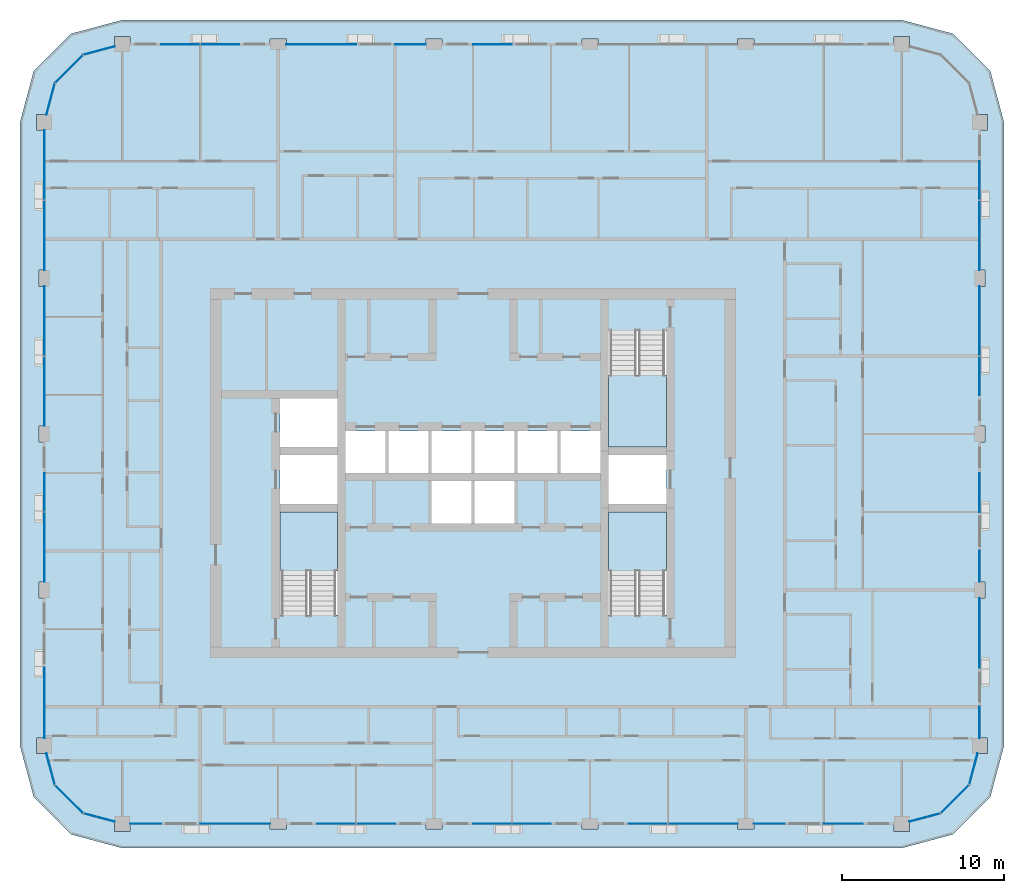
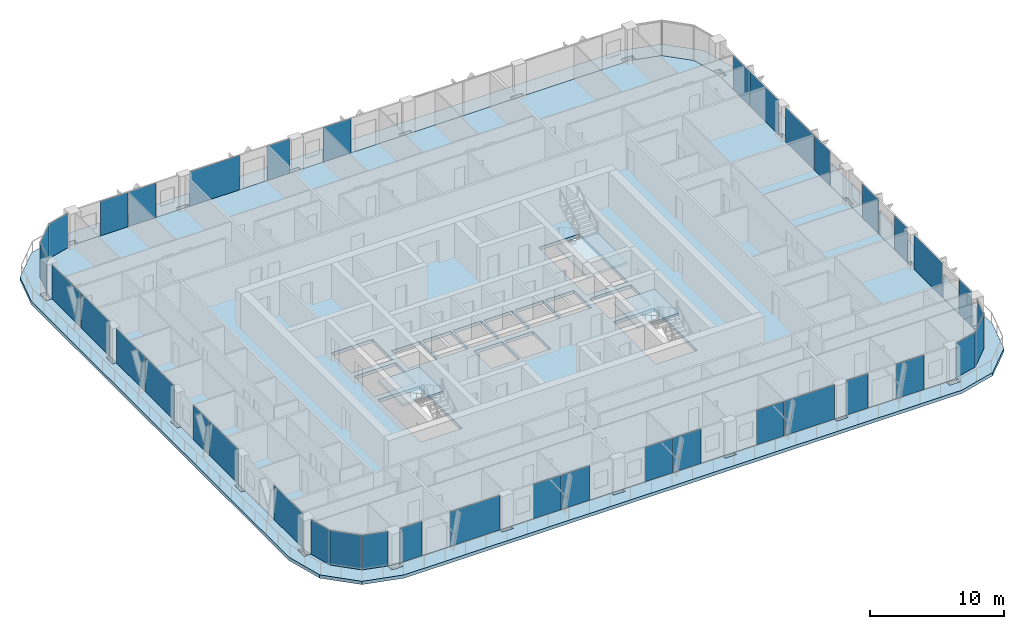
# One storey, part 7 of 23: 39 plates, 5 slabs, 22 elements without a shape of their own.
"""IFC4 building model written with IfcOpenShell, lengths in metres."""

from ifc_helpers import new_model, si_unit, direction, frame, origin, origin_2d, place, context, subcontext, project, spatial, polyline, rectangle, outline, extrude, material, layer, layer_set, type_object, element, aggregate, save


model = new_model("IFC4")

# Units and contexts
model_context = context("Model", 3, precision=1e-05, world=origin(), true_north=direction((0.0, 1.0)))
body_context = subcontext(model_context, "Body", "Model", "MODEL_VIEW")
ifc_project = project(units=[si_unit("LENGTHUNIT", "METRE"), si_unit("AREAUNIT", "SQUARE_METRE"), si_unit("VOLUMEUNIT", "CUBIC_METRE"), si_unit("PLANEANGLEUNIT", "RADIAN"), si_unit("MASSUNIT", "GRAM", prefix="KILO")], contexts=[model_context])

# Site, building, storey
site_placement = place(None, origin())
site = spatial("IfcSite", under=ifc_project, at=site_placement, CompositionType="ELEMENT")
building_placement = place(site_placement, origin())
building = spatial("IfcBuilding", under=site, at=building_placement, Name="Madar Terraces", CompositionType="ELEMENT")
storey_placement = place(building_placement, frame((0.0, 0.0, 222.800048828125)))
storey = spatial("IfcBuildingStorey", under=building, at=storey_placement, Name="L58", CompositionType="ELEMENT", Elevation=222.800048828125)

# Slabs
ifc_material_1 = material(Name="Concrete C50/60", Category="concrete")
ifc_layer_1 = layer(ifc_material_1, 0.300048828125)
ifc_layer_set_1 = layer_set([ifc_layer_1], Name="Balcony band 300")
slab_type_1 = type_object("IfcSlabType", Name="Balcony band 300", PredefinedType="FLOOR", material=ifc_layer_set_1)
slab_1_placement = place(storey_placement, frame((0.0, 0.0, -0.300048828125)))
element("IfcSlab", 1, at=slab_1_placement, inside=storey, type_object=slab_type_1, Name="Balcony band", PredefinedType="FLOOR", context=body_context, shape_type="SweptSolid", body=[
    extrude(outline(polyline([(9.60009765625, 3.300048828125), (6.449951171875, 4.14404296875), (4.14404296875, 6.449951171875), (3.300048828125, 9.60009765625), (3.300048828125, 48.0), (4.14404296875, 51.14990234375), (6.449951171875, 53.4560546875), (9.60009765625, 54.300048828125), (57.60009765625, 54.300048828125), (60.75, 53.4560546875), (63.055908203125, 51.14990234375), (63.89990234375, 48.0), (63.89990234375, 9.60009765625), (63.055908203125, 6.449951171875), (60.75, 4.14404296875), (57.60009765625, 3.300048828125), (9.60009765625, 3.300048828125)]), holes=[polyline([(10.074951171875, 4.324951171875), (10.074951171875, 4.800048828125), (18.699951171875, 4.800048828125), (18.699951171875, 4.47509765625), (19.699951171875, 4.47509765625), (19.699951171875, 4.800048828125), (28.300048828125, 4.800048828125), (28.300048828125, 4.47509765625), (29.300048828125, 4.47509765625), (29.300048828125, 4.800048828125), (37.89990234375, 4.800048828125), (37.89990234375, 4.47509765625), (38.89990234375, 4.47509765625), (38.89990234375, 4.800048828125), (47.5, 4.800048828125), (47.5, 4.47509765625), (48.5, 4.47509765625), (48.5, 4.800048828125), (57.125, 4.800048828125), (57.125, 4.324951171875), (58.074951171875, 4.324951171875), (58.074951171875, 4.92724609375), (60.0, 5.443115234375), (61.7568359375, 7.199951171875), (62.272705078125, 9.125), (62.875, 9.125), (62.875, 10.074951171875), (62.39990234375, 10.074951171875), (62.39990234375, 18.699951171875), (62.72509765625, 18.699951171875), (62.72509765625, 19.699951171875), (62.39990234375, 19.699951171875), (62.39990234375, 28.300048828125), (62.72509765625, 28.300048828125), (62.72509765625, 29.300048828125), (62.39990234375, 29.300048828125), (62.39990234375, 37.89990234375), (62.72509765625, 37.89990234375), (62.72509765625, 38.89990234375), (62.39990234375, 38.89990234375), (62.39990234375, 47.52490234375), (62.875, 47.52490234375), (62.875, 48.47509765625), (62.272705078125, 48.47509765625), (61.7568359375, 50.39990234375), (60.0, 52.156982421875), (58.074951171875, 52.672607421875), (58.074951171875, 53.27490234375), (57.125, 53.27490234375), (57.125, 52.800048828125), (48.5, 52.800048828125), (48.5, 53.125), (47.5, 53.125), (47.5, 52.800048828125), (38.89990234375, 52.800048828125), (38.89990234375, 53.125), (37.89990234375, 53.125), (37.89990234375, 52.800048828125), (29.300048828125, 52.800048828125), (29.300048828125, 53.125), (28.300048828125, 53.125), (28.300048828125, 52.800048828125), (19.699951171875, 52.800048828125), (19.699951171875, 53.125), (18.699951171875, 53.125), (18.699951171875, 52.800048828125), (10.074951171875, 52.800048828125), (10.074951171875, 53.27490234375), (9.125, 53.27490234375), (9.125, 52.672607421875), (7.199951171875, 52.156982421875), (5.443115234375, 50.39990234375), (4.92724609375, 48.47509765625), (4.324951171875, 48.47509765625), (4.324951171875, 47.52490234375), (4.800048828125, 47.52490234375), (4.800048828125, 38.89990234375), (4.47509765625, 38.89990234375), (4.47509765625, 37.89990234375), (4.800048828125, 37.89990234375), (4.800048828125, 29.300048828125), (4.47509765625, 29.300048828125), (4.47509765625, 28.300048828125), (4.800048828125, 28.300048828125), (4.800048828125, 19.699951171875), (4.47509765625, 19.699951171875), (4.47509765625, 18.699951171875), (4.800048828125, 18.699951171875), (4.800048828125, 10.074951171875), (4.324951171875, 10.074951171875), (4.324951171875, 9.125), (4.92724609375, 9.125), (5.443115234375, 7.199951171875), (7.199951171875, 5.443115234375), (9.125, 4.92724609375), (9.125, 4.324951171875), (10.074951171875, 4.324951171875)])]), origin(), (0.0, 0.0, 1.0), 0.300048828125),
])
ifc_material_2 = material(Name="Concrete C50/60", Category="concrete")
ifc_layer_2 = layer(ifc_material_2, 0.300048828125)
ifc_layer_set_2 = layer_set([ifc_layer_2], Name="FS2 PT flat slab 300")
slab_type_2 = type_object("IfcSlabType", Name="FS2 PT flat slab 300", PredefinedType="FLOOR", material=ifc_layer_set_2)
slab_2_placement = place(storey_placement, frame((0.0, 0.0, -0.300048828125)))
element("IfcSlab", 2, at=slab_2_placement, inside=storey, type_object=slab_type_2, Name="Floor slab L58 (1)", PredefinedType="FLOOR", context=body_context, shape_type="SweptSolid", body=[
    extrude(outline(polyline([(57.60009765625, 4.800048828125), (60.0, 5.443115234375), (61.7568359375, 7.199951171875), (62.39990234375, 9.60009765625), (62.39990234375, 48.0), (61.7568359375, 50.39990234375), (60.0, 52.156982421875), (57.60009765625, 52.800048828125), (9.60009765625, 52.800048828125), (7.199951171875, 52.156982421875), (5.443115234375, 50.39990234375), (4.800048828125, 48.0), (4.800048828125, 9.60009765625), (5.443115234375, 7.199951171875), (7.199951171875, 5.443115234375), (9.60009765625, 4.800048828125), (57.60009765625, 4.800048828125)]), holes=[polyline([(22.85009765625, 17.64990234375), (19.300048828125, 17.64990234375), (19.300048828125, 24.0), (22.85009765625, 24.0), (22.85009765625, 17.64990234375)]), polyline([(28.64990234375, 23.300048828125), (28.64990234375, 25.89990234375), (31.10009765625, 25.89990234375), (31.10009765625, 23.300048828125), (28.64990234375, 23.300048828125)]), polyline([(19.300048828125, 24.5), (19.300048828125, 27.5), (22.85009765625, 27.5), (22.85009765625, 24.5), (19.300048828125, 24.5)]), polyline([(23.35009765625, 26.39990234375), (23.35009765625, 29.0), (25.800048828125, 29.0), (25.800048828125, 26.39990234375), (23.35009765625, 26.39990234375)]), polyline([(26.0, 26.39990234375), (26.0, 29.0), (28.449951171875, 29.0), (28.449951171875, 26.39990234375), (26.0, 26.39990234375)]), polyline([(28.64990234375, 26.39990234375), (28.64990234375, 29.0), (31.10009765625, 29.0), (31.10009765625, 26.39990234375), (28.64990234375, 26.39990234375)]), polyline([(19.300048828125, 28.0), (19.300048828125, 31.0), (22.85009765625, 31.0), (22.85009765625, 28.0), (19.300048828125, 28.0)]), polyline([(43.10009765625, 17.64990234375), (39.550048828125, 17.64990234375), (39.550048828125, 24.0), (43.10009765625, 24.0), (43.10009765625, 17.64990234375)]), polyline([(31.300048828125, 23.300048828125), (31.300048828125, 25.89990234375), (33.75, 25.89990234375), (33.75, 23.300048828125), (31.300048828125, 23.300048828125)]), polyline([(39.550048828125, 24.5), (39.550048828125, 27.5), (43.10009765625, 27.5), (43.10009765625, 24.5), (39.550048828125, 24.5)]), polyline([(31.300048828125, 26.39990234375), (31.300048828125, 29.0), (33.75, 29.0), (33.75, 26.39990234375), (31.300048828125, 26.39990234375)]), polyline([(33.949951171875, 26.39990234375), (33.949951171875, 29.0), (36.39990234375, 29.0), (36.39990234375, 26.39990234375), (33.949951171875, 26.39990234375)]), polyline([(36.60009765625, 26.39990234375), (36.60009765625, 29.0), (39.050048828125, 29.0), (39.050048828125, 26.39990234375), (36.60009765625, 26.39990234375)]), polyline([(39.550048828125, 28.0), (39.550048828125, 35.14990234375), (43.10009765625, 35.14990234375), (43.10009765625, 28.0), (39.550048828125, 28.0)])]), origin(), (0.0, 0.0, 1.0), 0.300048828125),
])

# Curtain wall, plates
ifc_material_3 = material(Name="Glass, ceramic frit dark grey, with black aluminium frame", Category="aluminium")
ifc_layer_3 = layer(ifc_material_3, 0.199951171875)
ifc_layer_set_3 = layer_set([ifc_layer_3], Name="Facade curtain wall, fritted glass")
curtain_wall_type = type_object("IfcCurtainWallType", Name="Facade curtain wall, fritted glass", PredefinedType="NOTDEFINED", material=ifc_layer_set_3)
curtain_wall_1_placement = place(storey_placement, origin())
curtain_wall_1 = element("IfcCurtainWall", 3, at=curtain_wall_1_placement, inside=storey, type_object=curtain_wall_type, Name="Outer skin curtain wall south bay 1", PredefinedType="NOTDEFINED")
ifc_material_4 = material(Name="Glass, ceramic frit dark grey", Category="glass")
ifc_layer_4 = layer(ifc_material_4, 0.028076171875)
ifc_layer_set_4 = layer_set([ifc_layer_4], Name="Facade glass panel 28")
plate_type = type_object("IfcPlateType", Name="Facade glass panel 28", PredefinedType="CURTAIN_PANEL", material=ifc_layer_set_4)
plate_1_placement = place(storey_placement, frame((11.03759765625, 4.800048828125, 0.0), z_axis=(0.0, 0.0, 1.0), x_axis=(1.0, 0.0, 0.0)))
plate_1 = element("IfcPlate", 4, at=plate_1_placement, type_object=plate_type, Name="Panel 1", PredefinedType="CURTAIN_PANEL", context=body_context, shape_type="SweptSolid", body=[
    extrude(rectangle(XDim=1.925048828125, YDim=0.028076171875, at=origin_2d()), origin(), (0.0, 0.0, 1.0), 3.139892578125),
])
plate_2_placement = place(storey_placement, frame((16.550048828125, 4.800048828125, 0.0), z_axis=(0.0, 0.0, 1.0), x_axis=(1.0, 0.0, 0.0)))
plate_2 = element("IfcPlate", 5, at=plate_2_placement, type_object=plate_type, Name="Panel 2", PredefinedType="CURTAIN_PANEL", context=body_context, shape_type="SweptSolid", body=[
    extrude(rectangle(XDim=4.300048828125, YDim=0.028076171875, at=origin_2d()), origin(), (0.0, 0.0, 1.0), 3.139892578125),
])
aggregate(curtain_wall_1, [plate_1, plate_2])

curtain_wall_2_placement = place(storey_placement, origin())
curtain_wall_2 = element("IfcCurtainWall", 6, at=curtain_wall_2_placement, inside=storey, type_object=curtain_wall_type, Name="Outer skin curtain wall south bay 2", PredefinedType="NOTDEFINED")
plate_3_placement = place(storey_placement, frame((22.784912109375, 4.800048828125, 0.0), z_axis=(0.0, 0.0, 1.0), x_axis=(1.0, 0.0, 0.0)))
plate_3 = element("IfcPlate", 7, at=plate_3_placement, type_object=plate_type, Name="Panel 1", PredefinedType="CURTAIN_PANEL", context=body_context, shape_type="SweptSolid", body=[
    extrude(rectangle(XDim=2.3701171875, YDim=0.028076171875, at=origin_2d()), origin(), (0.0, 0.0, 1.0), 3.139892578125),
])
plate_4_placement = place(storey_placement, frame((25.215087890625, 4.800048828125, 0.0), z_axis=(0.0, 0.0, 1.0), x_axis=(1.0, 0.0, 0.0)))
plate_4 = element("IfcPlate", 8, at=plate_4_placement, type_object=plate_type, Name="Panel 2", PredefinedType="CURTAIN_PANEL", context=body_context, shape_type="SweptSolid", body=[
    extrude(rectangle(XDim=2.3701171875, YDim=0.028076171875, at=origin_2d()), origin(), (0.0, 0.0, 1.0), 3.139892578125),
])
aggregate(curtain_wall_2, [plate_3, plate_4])

curtain_wall_3_placement = place(storey_placement, origin())
curtain_wall_3 = element("IfcCurtainWall", 9, at=curtain_wall_3_placement, inside=storey, type_object=curtain_wall_type, Name="Outer skin curtain wall south bay 3", PredefinedType="NOTDEFINED")
plate_5_placement = place(storey_placement, frame((32.385009765625, 4.800048828125, 0.0), z_axis=(0.0, 0.0, 1.0), x_axis=(1.0, 0.0, 0.0)))
plate_5 = element("IfcPlate", 10, at=plate_5_placement, type_object=plate_type, Name="Panel 1", PredefinedType="CURTAIN_PANEL", context=body_context, shape_type="SweptSolid", body=[
    extrude(rectangle(XDim=2.3701171875, YDim=0.028076171875, at=origin_2d()), origin(), (0.0, 0.0, 1.0), 3.139892578125),
])
plate_6_placement = place(storey_placement, frame((34.81494140625, 4.800048828125, 0.0), z_axis=(0.0, 0.0, 1.0), x_axis=(1.0, 0.0, 0.0)))
plate_6 = element("IfcPlate", 11, at=plate_6_placement, type_object=plate_type, Name="Panel 2", PredefinedType="CURTAIN_PANEL", context=body_context, shape_type="SweptSolid", body=[
    extrude(rectangle(XDim=2.3701171875, YDim=0.028076171875, at=origin_2d()), origin(), (0.0, 0.0, 1.0), 3.139892578125),
])
aggregate(curtain_wall_3, [plate_5, plate_6])

curtain_wall_4_placement = place(storey_placement, origin())
curtain_wall_4 = element("IfcCurtainWall", 12, at=curtain_wall_4_placement, inside=storey, type_object=curtain_wall_type, Name="Outer skin curtain wall south bay 4", PredefinedType="NOTDEFINED")
plate_7_placement = place(storey_placement, frame((41.985107421875, 4.800048828125, 0.0), z_axis=(0.0, 0.0, 1.0), x_axis=(1.0, 0.0, 0.0)))
plate_7 = element("IfcPlate", 13, at=plate_7_placement, type_object=plate_type, Name="Panel 1", PredefinedType="CURTAIN_PANEL", context=body_context, shape_type="SweptSolid", body=[
    extrude(rectangle(XDim=2.3701171875, YDim=0.028076171875, at=origin_2d()), origin(), (0.0, 0.0, 1.0), 3.139892578125),
])
plate_8_placement = place(storey_placement, frame((45.364990234375, 4.800048828125, 0.0), z_axis=(0.0, 0.0, 1.0), x_axis=(1.0, 0.0, 0.0)))
plate_8 = element("IfcPlate", 14, at=plate_8_placement, type_object=plate_type, Name="Panel 2", PredefinedType="CURTAIN_PANEL", context=body_context, shape_type="SweptSolid", body=[
    extrude(rectangle(XDim=4.27001953125, YDim=0.028076171875, at=origin_2d()), origin(), (0.0, 0.0, 1.0), 3.139892578125),
])
aggregate(curtain_wall_4, [plate_7, plate_8])

curtain_wall_5_placement = place(storey_placement, origin())
curtain_wall_5 = element("IfcCurtainWall", 15, at=curtain_wall_5_placement, inside=storey, type_object=curtain_wall_type, Name="Outer skin curtain wall south bay 5", PredefinedType="NOTDEFINED")
plate_9_placement = place(storey_placement, frame((49.449951171875, 4.800048828125, 0.0), z_axis=(0.0, 0.0, 1.0), x_axis=(1.0, 0.0, 0.0)))
plate_9 = element("IfcPlate", 16, at=plate_9_placement, type_object=plate_type, Name="Panel 1", PredefinedType="CURTAIN_PANEL", context=body_context, shape_type="SweptSolid", body=[
    extrude(rectangle(XDim=1.89990234375, YDim=0.028076171875, at=origin_2d()), origin(), (0.0, 0.0, 1.0), 3.139892578125),
])
plate_10_placement = place(storey_placement, frame((54.0, 4.800048828125, 0.0), z_axis=(0.0, 0.0, 1.0), x_axis=(1.0, 0.0, 0.0)))
plate_10 = element("IfcPlate", 17, at=plate_10_placement, type_object=plate_type, Name="Panel 2", PredefinedType="CURTAIN_PANEL", context=body_context, shape_type="SweptSolid", body=[
    extrude(rectangle(XDim=2.39990234375, YDim=0.028076171875, at=origin_2d()), origin(), (0.0, 0.0, 1.0), 3.139892578125),
])
aggregate(curtain_wall_5, [plate_9, plate_10])

curtain_wall_6_placement = place(storey_placement, origin())
curtain_wall_6 = element("IfcCurtainWall", 18, at=curtain_wall_6_placement, inside=storey, type_object=curtain_wall_type, Name="Outer skin curtain wall east bay 1", PredefinedType="NOTDEFINED")
plate_11_placement = place(storey_placement, frame((62.39990234375, 11.03759765625, 0.0), z_axis=(0.0, 0.0, 1.0), x_axis=(0.0, 1.0, 0.0)))
plate_11 = element("IfcPlate", 19, at=plate_11_placement, type_object=plate_type, Name="Panel 1", PredefinedType="CURTAIN_PANEL", context=body_context, shape_type="SweptSolid", body=[
    extrude(rectangle(XDim=1.925048828125, YDim=0.028076171875, at=origin_2d()), origin(), (0.0, 0.0, 1.0), 3.139892578125),
])
plate_12_placement = place(storey_placement, frame((62.39990234375, 16.550048828125, 0.0), z_axis=(0.0, 0.0, 1.0), x_axis=(0.0, 1.0, 0.0)))
plate_12 = element("IfcPlate", 20, at=plate_12_placement, type_object=plate_type, Name="Panel 2", PredefinedType="CURTAIN_PANEL", context=body_context, shape_type="SweptSolid", body=[
    extrude(rectangle(XDim=4.300048828125, YDim=0.028076171875, at=origin_2d()), origin(), (0.0, 0.0, 1.0), 3.139892578125),
])
aggregate(curtain_wall_6, [plate_11, plate_12])

curtain_wall_7_placement = place(storey_placement, origin())
curtain_wall_7 = element("IfcCurtainWall", 21, at=curtain_wall_7_placement, inside=storey, type_object=curtain_wall_type, Name="Outer skin curtain wall east bay 2", PredefinedType="NOTDEFINED")
plate_13_placement = place(storey_placement, frame((62.39990234375, 20.64990234375, 0.0), z_axis=(0.0, 0.0, 1.0), x_axis=(0.0, 1.0, 0.0)))
plate_13 = element("IfcPlate", 22, at=plate_13_placement, type_object=plate_type, Name="Panel 1", PredefinedType="CURTAIN_PANEL", context=body_context, shape_type="SweptSolid", body=[
    extrude(rectangle(XDim=1.89990234375, YDim=0.028076171875, at=origin_2d()), origin(), (0.0, 0.0, 1.0), 3.139892578125),
])
plate_14_placement = place(storey_placement, frame((62.39990234375, 25.199951171875, 0.0), z_axis=(0.0, 0.0, 1.0), x_axis=(0.0, 1.0, 0.0)))
plate_14 = element("IfcPlate", 23, at=plate_14_placement, type_object=plate_type, Name="Panel 2", PredefinedType="CURTAIN_PANEL", context=body_context, shape_type="SweptSolid", body=[
    extrude(rectangle(XDim=2.39990234375, YDim=0.028076171875, at=origin_2d()), origin(), (0.0, 0.0, 1.0), 3.139892578125),
])
aggregate(curtain_wall_7, [plate_13, plate_14])

curtain_wall_8_placement = place(storey_placement, origin())
curtain_wall_8 = element("IfcCurtainWall", 24, at=curtain_wall_8_placement, inside=storey, type_object=curtain_wall_type, Name="Outer skin curtain wall east bay 3", PredefinedType="NOTDEFINED")
plate_15_placement = place(storey_placement, frame((62.39990234375, 32.385009765625, 0.0), z_axis=(0.0, 0.0, 1.0), x_axis=(0.0, 1.0, 0.0)))
plate_15 = element("IfcPlate", 25, at=plate_15_placement, type_object=plate_type, Name="Panel 1", PredefinedType="CURTAIN_PANEL", context=body_context, shape_type="SweptSolid", body=[
    extrude(rectangle(XDim=2.3701171875, YDim=0.028076171875, at=origin_2d()), origin(), (0.0, 0.0, 1.0), 3.139892578125),
])
plate_16_placement = place(storey_placement, frame((62.39990234375, 35.764892578125, 0.0), z_axis=(0.0, 0.0, 1.0), x_axis=(0.0, 1.0, 0.0)))
plate_16 = element("IfcPlate", 26, at=plate_16_placement, type_object=plate_type, Name="Panel 2", PredefinedType="CURTAIN_PANEL", context=body_context, shape_type="SweptSolid", body=[
    extrude(rectangle(XDim=4.27001953125, YDim=0.028076171875, at=origin_2d()), origin(), (0.0, 0.0, 1.0), 3.139892578125),
])
aggregate(curtain_wall_8, [plate_15, plate_16])

curtain_wall_9_placement = place(storey_placement, origin())
curtain_wall_9 = element("IfcCurtainWall", 27, at=curtain_wall_9_placement, inside=storey, type_object=curtain_wall_type, Name="Outer skin curtain wall east bay 4", PredefinedType="NOTDEFINED")
plate_17_placement = place(storey_placement, frame((62.39990234375, 41.034912109375, 0.0), z_axis=(0.0, 0.0, 1.0), x_axis=(0.0, 1.0, 0.0)))
plate_17 = element("IfcPlate", 28, at=plate_17_placement, type_object=plate_type, Name="Panel 1", PredefinedType="CURTAIN_PANEL", context=body_context, shape_type="SweptSolid", body=[
    extrude(rectangle(XDim=4.27001953125, YDim=0.028076171875, at=origin_2d()), origin(), (0.0, 0.0, 1.0), 3.139892578125),
])
plate_18_placement = place(storey_placement, frame((62.39990234375, 44.4150390625, 0.0), z_axis=(0.0, 0.0, 1.0), x_axis=(0.0, 1.0, 0.0)))
plate_18 = element("IfcPlate", 29, at=plate_18_placement, type_object=plate_type, Name="Panel 2", PredefinedType="CURTAIN_PANEL", context=body_context, shape_type="SweptSolid", body=[
    extrude(rectangle(XDim=2.3701171875, YDim=0.028076171875, at=origin_2d()), origin(), (0.0, 0.0, 1.0), 3.139892578125),
])
aggregate(curtain_wall_9, [plate_17, plate_18])

# Curtain wall, plate
curtain_wall_10_placement = place(storey_placement, origin())
curtain_wall_10 = element("IfcCurtainWall", 30, at=curtain_wall_10_placement, inside=storey, type_object=curtain_wall_type, Name="Outer skin curtain wall north bay 3", PredefinedType="NOTDEFINED")
plate_19_placement = place(storey_placement, frame((32.39990234375, 52.800048828125, 0.0), z_axis=(0.0, 0.0, 1.0), x_axis=(-1.0, 0.0, 0.0)))
plate_19 = element("IfcPlate", 31, at=plate_19_placement, type_object=plate_type, Name="Panel 1", PredefinedType="CURTAIN_PANEL", context=body_context, shape_type="SweptSolid", body=[
    extrude(rectangle(XDim=2.39990234375, YDim=0.028076171875, at=origin_2d()), origin(), (0.0, 0.0, 1.0), 3.139892578125),
])
aggregate(curtain_wall_10, [plate_19])

# Curtain wall, plates
curtain_wall_11_placement = place(storey_placement, origin())
curtain_wall_11 = element("IfcCurtainWall", 32, at=curtain_wall_11_placement, inside=storey, type_object=curtain_wall_type, Name="Outer skin curtain wall north bay 4", PredefinedType="NOTDEFINED")
plate_20_placement = place(storey_placement, frame((27.35009765625, 52.800048828125, 0.0), z_axis=(0.0, 0.0, 1.0), x_axis=(-1.0, 0.0, 0.0)))
plate_20 = element("IfcPlate", 33, at=plate_20_placement, type_object=plate_type, Name="Panel 1", PredefinedType="CURTAIN_PANEL", context=body_context, shape_type="SweptSolid", body=[
    extrude(rectangle(XDim=1.89990234375, YDim=0.028076171875, at=origin_2d()), origin(), (0.0, 0.0, 1.0), 3.139892578125),
])
plate_21_placement = place(storey_placement, frame((21.85009765625, 52.800048828125, 0.0), z_axis=(0.0, 0.0, 1.0), x_axis=(-1.0, 0.0, 0.0)))
plate_21 = element("IfcPlate", 34, at=plate_21_placement, type_object=plate_type, Name="Panel 2", PredefinedType="CURTAIN_PANEL", context=body_context, shape_type="SweptSolid", body=[
    extrude(rectangle(XDim=4.300048828125, YDim=0.028076171875, at=origin_2d()), origin(), (0.0, 0.0, 1.0), 3.139892578125),
])
aggregate(curtain_wall_11, [plate_20, plate_21])

curtain_wall_12_placement = place(storey_placement, origin())
curtain_wall_12 = element("IfcCurtainWall", 35, at=curtain_wall_12_placement, inside=storey, type_object=curtain_wall_type, Name="Outer skin curtain wall north bay 5", PredefinedType="NOTDEFINED")
plate_22_placement = place(storey_placement, frame((15.614990234375, 52.800048828125, 0.0), z_axis=(0.0, 0.0, 1.0), x_axis=(-1.0, 0.0, 0.0)))
plate_22 = element("IfcPlate", 36, at=plate_22_placement, type_object=plate_type, Name="Panel 1", PredefinedType="CURTAIN_PANEL", context=body_context, shape_type="SweptSolid", body=[
    extrude(rectangle(XDim=2.3701171875, YDim=0.028076171875, at=origin_2d()), origin(), (0.0, 0.0, 1.0), 3.139892578125),
])
plate_23_placement = place(storey_placement, frame((13.18505859375, 52.800048828125, 0.0), z_axis=(0.0, 0.0, 1.0), x_axis=(-1.0, 0.0, 0.0)))
plate_23 = element("IfcPlate", 37, at=plate_23_placement, type_object=plate_type, Name="Panel 2", PredefinedType="CURTAIN_PANEL", context=body_context, shape_type="SweptSolid", body=[
    extrude(rectangle(XDim=2.3701171875, YDim=0.028076171875, at=origin_2d()), origin(), (0.0, 0.0, 1.0), 3.139892578125),
])
aggregate(curtain_wall_12, [plate_22, plate_23])

curtain_wall_13_placement = place(storey_placement, origin())
curtain_wall_13 = element("IfcCurtainWall", 38, at=curtain_wall_13_placement, inside=storey, type_object=curtain_wall_type, Name="Outer skin curtain wall west bay 1", PredefinedType="NOTDEFINED")
plate_24_placement = place(storey_placement, frame((4.800048828125, 45.37744140625, 0.0), z_axis=(0.0, 0.0, 1.0), x_axis=(0.0, -1.0, 0.0)))
plate_24 = element("IfcPlate", 39, at=plate_24_placement, type_object=plate_type, Name="Panel 1", PredefinedType="CURTAIN_PANEL", context=body_context, shape_type="SweptSolid", body=[
    extrude(rectangle(XDim=4.294921875, YDim=0.028076171875, at=origin_2d()), origin(), (0.0, 0.0, 1.0), 3.139892578125),
])
plate_25_placement = place(storey_placement, frame((4.800048828125, 41.034912109375, 0.0), z_axis=(0.0, 0.0, 1.0), x_axis=(0.0, -1.0, 0.0)))
plate_25 = element("IfcPlate", 40, at=plate_25_placement, type_object=plate_type, Name="Panel 2", PredefinedType="CURTAIN_PANEL", context=body_context, shape_type="SweptSolid", body=[
    extrude(rectangle(XDim=4.27001953125, YDim=0.028076171875, at=origin_2d()), origin(), (0.0, 0.0, 1.0), 3.139892578125),
])
aggregate(curtain_wall_13, [plate_24, plate_25])

curtain_wall_14_placement = place(storey_placement, origin())
curtain_wall_14 = element("IfcCurtainWall", 41, at=curtain_wall_14_placement, inside=storey, type_object=curtain_wall_type, Name="Outer skin curtain wall west bay 2", PredefinedType="NOTDEFINED")
plate_26_placement = place(storey_placement, frame((4.800048828125, 35.764892578125, 0.0), z_axis=(0.0, 0.0, 1.0), x_axis=(0.0, -1.0, 0.0)))
plate_26 = element("IfcPlate", 42, at=plate_26_placement, type_object=plate_type, Name="Panel 1", PredefinedType="CURTAIN_PANEL", context=body_context, shape_type="SweptSolid", body=[
    extrude(rectangle(XDim=4.27001953125, YDim=0.028076171875, at=origin_2d()), origin(), (0.0, 0.0, 1.0), 3.139892578125),
])
plate_27_placement = place(storey_placement, frame((4.800048828125, 31.43505859375, 0.0), z_axis=(0.0, 0.0, 1.0), x_axis=(0.0, -1.0, 0.0)))
plate_27 = element("IfcPlate", 43, at=plate_27_placement, type_object=plate_type, Name="Panel 2", PredefinedType="CURTAIN_PANEL", context=body_context, shape_type="SweptSolid", body=[
    extrude(rectangle(XDim=4.27001953125, YDim=0.028076171875, at=origin_2d()), origin(), (0.0, 0.0, 1.0), 3.139892578125),
])
aggregate(curtain_wall_14, [plate_26, plate_27])

curtain_wall_15_placement = place(storey_placement, origin())
curtain_wall_15 = element("IfcCurtainWall", 44, at=curtain_wall_15_placement, inside=storey, type_object=curtain_wall_type, Name="Outer skin curtain wall west bay 3", PredefinedType="NOTDEFINED")
plate_28_placement = place(storey_placement, frame((4.800048828125, 25.215087890625, 0.0), z_axis=(0.0, 0.0, 1.0), x_axis=(0.0, -1.0, 0.0)))
plate_28 = element("IfcPlate", 45, at=plate_28_placement, type_object=plate_type, Name="Panel 1", PredefinedType="CURTAIN_PANEL", context=body_context, shape_type="SweptSolid", body=[
    extrude(rectangle(XDim=2.3701171875, YDim=0.028076171875, at=origin_2d()), origin(), (0.0, 0.0, 1.0), 3.139892578125),
])
plate_29_placement = place(storey_placement, frame((4.800048828125, 21.8349609375, 0.0), z_axis=(0.0, 0.0, 1.0), x_axis=(0.0, -1.0, 0.0)))
plate_29 = element("IfcPlate", 46, at=plate_29_placement, type_object=plate_type, Name="Panel 2", PredefinedType="CURTAIN_PANEL", context=body_context, shape_type="SweptSolid", body=[
    extrude(rectangle(XDim=4.27001953125, YDim=0.028076171875, at=origin_2d()), origin(), (0.0, 0.0, 1.0), 3.139892578125),
])
aggregate(curtain_wall_15, [plate_28, plate_29])

# Curtain wall, plate
curtain_wall_16_placement = place(storey_placement, origin())
curtain_wall_16 = element("IfcCurtainWall", 47, at=curtain_wall_16_placement, inside=storey, type_object=curtain_wall_type, Name="Outer skin curtain wall west bay 4", PredefinedType="NOTDEFINED")
plate_30_placement = place(storey_placement, frame((4.800048828125, 12.237548828125, 0.0), z_axis=(0.0, 0.0, 1.0), x_axis=(0.0, -1.0, 0.0)))
plate_30 = element("IfcPlate", 48, at=plate_30_placement, type_object=plate_type, Name="Panel 1", PredefinedType="CURTAIN_PANEL", context=body_context, shape_type="SweptSolid", body=[
    extrude(rectangle(XDim=4.324951171875, YDim=0.028076171875, at=origin_2d()), origin(), (0.0, 0.0, 1.0), 3.139892578125),
])
aggregate(curtain_wall_16, [plate_30])

# Curtain wall, plates
curtain_wall_17_placement = place(storey_placement, origin())
curtain_wall_17 = element("IfcCurtainWall", 49, at=curtain_wall_17_placement, inside=storey, type_object=curtain_wall_type, Name="Outer skin curtain wall south-east corner", PredefinedType="NOTDEFINED")
plate_31_placement = place(storey_placement, frame((59.02294921875, 5.181396484375, 0.0), z_axis=(0.0, 0.0, 1.0), x_axis=(0.965925832509, 0.258819021888, 0.0)))
plate_31 = element("IfcPlate", 50, at=plate_31_placement, type_object=plate_type, Name="Panel 1", PredefinedType="CURTAIN_PANEL", context=body_context, shape_type="SweptSolid", body=[
    extrude(rectangle(XDim=1.962890625, YDim=0.028076171875, at=origin_2d()), origin(), (0.0, 0.0, 1.0), 3.139892578125),
])
plate_32_placement = place(storey_placement, frame((60.87841796875, 6.321533203125, 0.0), z_axis=(0.0, 0.0, 1.0), x_axis=(0.707106781187, 0.707106781187, 0.0)))
plate_32 = element("IfcPlate", 51, at=plate_32_placement, type_object=plate_type, Name="Panel 2", PredefinedType="CURTAIN_PANEL", context=body_context, shape_type="SweptSolid", body=[
    extrude(rectangle(XDim=2.424560546875, YDim=0.028076171875, at=origin_2d()), origin(), (0.0, 0.0, 1.0), 3.139892578125),
])
plate_33_placement = place(storey_placement, frame((62.018798828125, 8.177001953125, 0.0), z_axis=(0.0, 0.0, 1.0), x_axis=(0.258819021888, 0.965925832509, 0.0)))
plate_33 = element("IfcPlate", 52, at=plate_33_placement, type_object=plate_type, Name="Panel 3", PredefinedType="CURTAIN_PANEL", context=body_context, shape_type="SweptSolid", body=[
    extrude(rectangle(XDim=1.962890625, YDim=0.028076171875, at=origin_2d()), origin(), (0.0, 0.0, 1.0), 3.139892578125),
])
aggregate(curtain_wall_17, [plate_31, plate_32, plate_33])

curtain_wall_18_placement = place(storey_placement, origin())
curtain_wall_18 = element("IfcCurtainWall", 53, at=curtain_wall_18_placement, inside=storey, type_object=curtain_wall_type, Name="Outer skin curtain wall north-west corner", PredefinedType="NOTDEFINED")
plate_34_placement = place(storey_placement, frame((8.177001953125, 52.418701171875, 0.0), z_axis=(0.0, 0.0, 1.0), x_axis=(-0.965925832509, -0.258819021888, 0.0)))
plate_34 = element("IfcPlate", 54, at=plate_34_placement, type_object=plate_type, Name="Panel 1", PredefinedType="CURTAIN_PANEL", context=body_context, shape_type="SweptSolid", body=[
    extrude(rectangle(XDim=1.962890625, YDim=0.028076171875, at=origin_2d()), origin(), (0.0, 0.0, 1.0), 3.139892578125),
])
plate_35_placement = place(storey_placement, frame((6.321533203125, 51.278564453125, 0.0), z_axis=(0.0, 0.0, 1.0), x_axis=(-0.707106781187, -0.707106781187, 0.0)))
plate_35 = element("IfcPlate", 55, at=plate_35_placement, type_object=plate_type, Name="Panel 2", PredefinedType="CURTAIN_PANEL", context=body_context, shape_type="SweptSolid", body=[
    extrude(rectangle(XDim=2.424560546875, YDim=0.028076171875, at=origin_2d()), origin(), (0.0, 0.0, 1.0), 3.139892578125),
])
plate_36_placement = place(storey_placement, frame((5.181396484375, 49.423095703125, 0.0), z_axis=(0.0, 0.0, 1.0), x_axis=(-0.258819021888, -0.965925832509, 0.0)))
plate_36 = element("IfcPlate", 56, at=plate_36_placement, type_object=plate_type, Name="Panel 3", PredefinedType="CURTAIN_PANEL", context=body_context, shape_type="SweptSolid", body=[
    extrude(rectangle(XDim=1.962890625, YDim=0.028076171875, at=origin_2d()), origin(), (0.0, 0.0, 1.0), 3.139892578125),
])
aggregate(curtain_wall_18, [plate_34, plate_35, plate_36])

curtain_wall_19_placement = place(storey_placement, origin())
curtain_wall_19 = element("IfcCurtainWall", 57, at=curtain_wall_19_placement, inside=storey, type_object=curtain_wall_type, Name="Outer skin curtain wall south-west corner", PredefinedType="NOTDEFINED")
plate_37_placement = place(storey_placement, frame((5.181396484375, 8.177001953125, 0.0), z_axis=(0.0, 0.0, 1.0), x_axis=(0.258819021888, -0.965925832509, 0.0)))
plate_37 = element("IfcPlate", 58, at=plate_37_placement, type_object=plate_type, Name="Panel 1", PredefinedType="CURTAIN_PANEL", context=body_context, shape_type="SweptSolid", body=[
    extrude(rectangle(XDim=1.962890625, YDim=0.028076171875, at=origin_2d()), origin(), (0.0, 0.0, 1.0), 3.139892578125),
])
plate_38_placement = place(storey_placement, frame((6.321533203125, 6.321533203125, 0.0), z_axis=(0.0, 0.0, 1.0), x_axis=(0.707106781187, -0.707106781187, 0.0)))
plate_38 = element("IfcPlate", 59, at=plate_38_placement, type_object=plate_type, Name="Panel 2", PredefinedType="CURTAIN_PANEL", context=body_context, shape_type="SweptSolid", body=[
    extrude(rectangle(XDim=2.424560546875, YDim=0.028076171875, at=origin_2d()), origin(), (0.0, 0.0, 1.0), 3.139892578125),
])
plate_39_placement = place(storey_placement, frame((8.177001953125, 5.181396484375, 0.0), z_axis=(0.0, 0.0, 1.0), x_axis=(0.965925832509, -0.258819021888, 0.0)))
plate_39 = element("IfcPlate", 60, at=plate_39_placement, type_object=plate_type, Name="Panel 3", PredefinedType="CURTAIN_PANEL", context=body_context, shape_type="SweptSolid", body=[
    extrude(rectangle(XDim=1.962890625, YDim=0.028076171875, at=origin_2d()), origin(), (0.0, 0.0, 1.0), 3.139892578125),
])
aggregate(curtain_wall_19, [plate_37, plate_38, plate_39])

# Stair, slab
ifc_material_5 = material(Name="Concrete C50/60", Category="concrete")
stair_type_1 = type_object("IfcStairType", Name="Stair ST1 protected exit", PredefinedType="HALF_TURN_STAIR", material=ifc_material_5)
stair_1_placement = place(storey_placement, origin())
stair_1 = element("IfcStair", 61, at=stair_1_placement, inside=storey, type_object=stair_type_1, Name="L58 Protected Exit Stair ST1", PredefinedType="HALF_TURN_STAIR")
ifc_material_6 = material(Name="Concrete C50/60", Category="concrete")
ifc_layer_5 = layer(ifc_material_6, 0.199951171875)
ifc_layer_set_5 = layer_set([ifc_layer_5], Name="Stair landing 200, top +1.75")
slab_type_3 = type_object("IfcSlabType", Name="Stair landing 200, top +1.75", PredefinedType="LANDING", material=ifc_layer_set_5)
slab_3_placement = place(storey_placement, frame((0.0, 0.0, 1.550048828125)))
slab_3 = element("IfcSlab", 62, at=slab_3_placement, type_object=slab_type_3, Name="ST1 landing 1", PredefinedType="LANDING", context=body_context, shape_type="SweptSolid", body=[
    extrude(outline(polyline([(19.300048828125, 20.360107421875), (22.85009765625, 20.360107421875), (22.85009765625, 24.0), (19.300048828125, 24.0), (19.300048828125, 20.360107421875)])), origin(), (0.0, 0.0, 1.0), 0.199951171875),
])
aggregate(stair_1, [slab_3])

ifc_material_7 = material(Name="Concrete C50/60", Category="concrete")
stair_type_2 = type_object("IfcStairType", Name="Stair ST2 protected exit", PredefinedType="HALF_TURN_STAIR", material=ifc_material_7)
stair_2_placement = place(storey_placement, origin())
stair_2 = element("IfcStair", 63, at=stair_2_placement, inside=storey, type_object=stair_type_2, Name="L58 Protected Exit Stair ST2", PredefinedType="HALF_TURN_STAIR")
slab_4_placement = place(storey_placement, frame((0.0, 0.0, 1.550048828125)))
slab_4 = element("IfcSlab", 64, at=slab_4_placement, type_object=slab_type_3, Name="ST2 landing 1", PredefinedType="LANDING", context=body_context, shape_type="SweptSolid", body=[
    extrude(outline(polyline([(39.550048828125, 28.0), (43.10009765625, 28.0), (43.10009765625, 32.43994140625), (39.550048828125, 32.43994140625), (39.550048828125, 28.0)])), origin(), (0.0, 0.0, 1.0), 0.199951171875),
])
aggregate(stair_2, [slab_4])

ifc_material_8 = material(Name="Concrete C50/60", Category="concrete")
stair_type_3 = type_object("IfcStairType", Name="Stair ST3 protected exit", PredefinedType="HALF_TURN_STAIR", material=ifc_material_8)
stair_3_placement = place(storey_placement, origin())
stair_3 = element("IfcStair", 65, at=stair_3_placement, inside=storey, type_object=stair_type_3, Name="L58 Protected Exit Stair ST3", PredefinedType="HALF_TURN_STAIR")
slab_5_placement = place(storey_placement, frame((0.0, 0.0, 1.550048828125)))
slab_5 = element("IfcSlab", 66, at=slab_5_placement, type_object=slab_type_3, Name="ST3 landing 1", PredefinedType="LANDING", context=body_context, shape_type="SweptSolid", body=[
    extrude(outline(polyline([(39.550048828125, 20.360107421875), (43.10009765625, 20.360107421875), (43.10009765625, 24.0), (39.550048828125, 24.0), (39.550048828125, 20.360107421875)])), origin(), (0.0, 0.0, 1.0), 0.199951171875),
])
aggregate(stair_3, [slab_5])

save(model, "model.ifc")
